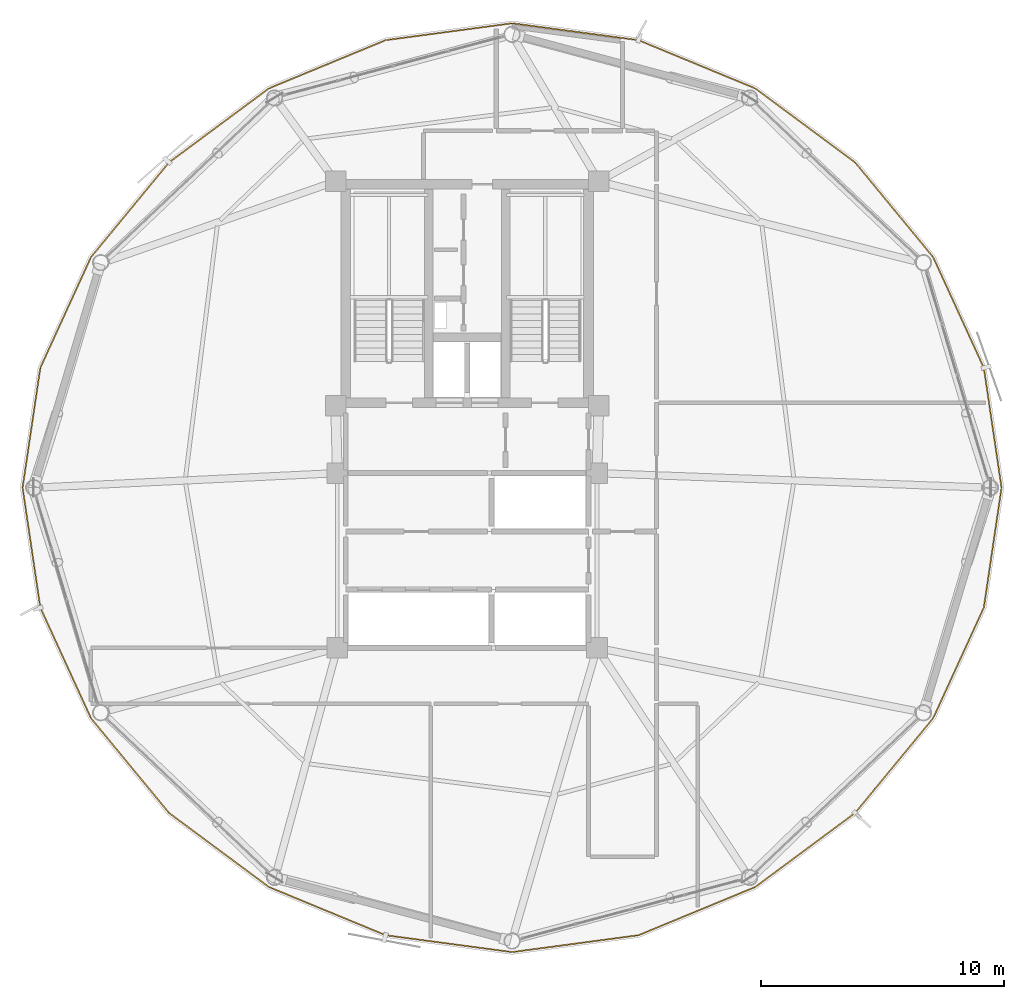
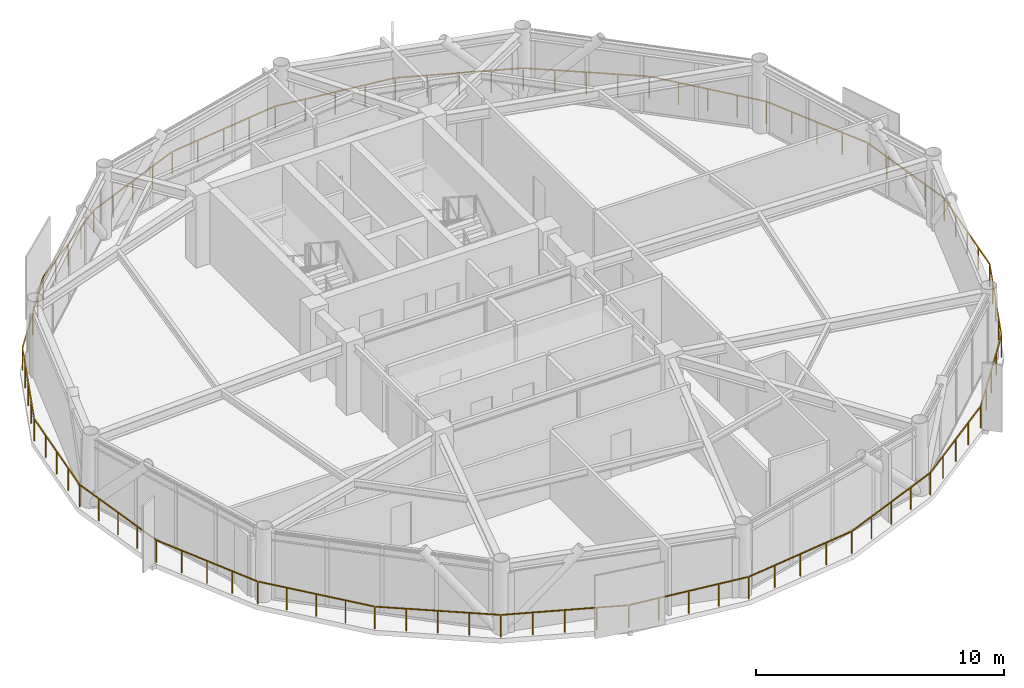
# One storey, part 27 of 29: 1 railing.
"""IFC4 building model written with IfcOpenShell, lengths in metres."""

from ifc_helpers import new_model, si_unit, direction, frame, origin, origin_2d, place, context, subcontext, project, spatial, rectangle, extrude, material, type_object, element, save


model = new_model("IFC4")

# Units and contexts
model_context = context("Model", 3, precision=1e-05, world=origin(), true_north=direction((0.0, 1.0)))
body_context = subcontext(model_context, "Body", "Model", "MODEL_VIEW")
ifc_project = project(units=[si_unit("LENGTHUNIT", "METRE"), si_unit("AREAUNIT", "SQUARE_METRE"), si_unit("VOLUMEUNIT", "CUBIC_METRE"), si_unit("PLANEANGLEUNIT", "RADIAN"), si_unit("MASSUNIT", "GRAM", prefix="KILO")], contexts=[model_context])

# Site, building, storey
site_placement = place(None, origin())
site = spatial("IfcSite", under=ifc_project, at=site_placement, CompositionType="ELEMENT")
building_placement = place(site_placement, origin())
building = spatial("IfcBuilding", under=site, at=building_placement, Name="Varnakorn Sky Granary", CompositionType="ELEMENT")
storey_placement = place(building_placement, frame((0.0, 0.0, 182.39990234375)))
storey = spatial("IfcBuildingStorey", under=building, at=storey_placement, Name="L45", CompositionType="ELEMENT", Elevation=182.39990234375)

# Railing
ifc_material = material(Name="Anodised Bronze Aluminium Alloy 6063-T6", Category="aluminium")
railing_type = type_object("IfcRailingType", Name="RL-BAL-1120", PredefinedType="BALUSTRADE", material=ifc_material)
railing_placement = place(storey_placement, frame((25.013916015625, 0.0, 0.0)))
element("IfcRailing", 1, at=railing_placement, inside=storey, type_object=railing_type, Name="Perimeter Slab-Edge Safety Guard L45", PredefinedType="BALUSTRADE", context=body_context, shape_type="SweptSolid", body=[
    extrude(rectangle(XDim=0.048095703125, YDim=0.048095703125, at=origin_2d()), frame((-0.004150390625, -0.027587890625, 1.09619140625), z_axis=(-0.146213586105, -0.989253045099, 0.0), x_axis=(0.989253045099, -0.146213586105, 0.0)), (0.0, 0.0, 1.0), 4.934814453125),
    extrude(rectangle(XDim=0.048095703125, YDim=0.048095703125, at=origin_2d()), frame((-0.741455078125, -4.962646484375, 1.09619140625), z_axis=(-0.416267282116, -0.909242294353, 0.0), x_axis=(0.909242294353, -0.416267282116, 0.0)), (0.0, 0.0, 1.0), 4.956787109375),
    extrude(rectangle(XDim=0.048095703125, YDim=0.048095703125, at=origin_2d()), frame((-2.834228515625, -9.516845703125, 1.09619140625), z_axis=(-0.635695406903, -0.77193999096, 0.0), x_axis=(0.77193999096, -0.635695406903, 0.0)), (0.0, 0.0, 1.0), 5.000732421875),
    extrude(rectangle(XDim=0.048095703125, YDim=0.048095703125, at=origin_2d()), frame((-6.053466796875, -13.415283203125, 1.09619140625), z_axis=(-0.803365598806, -0.595486116257, 0.0), x_axis=(0.595486116257, -0.803365598806, 0.0)), (0.0, 0.0, 1.0), 5.0693359375),
    extrude(rectangle(XDim=0.048095703125, YDim=0.048095703125, at=origin_2d()), frame((-10.17431640625, -16.46142578125, 1.09619140625), z_axis=(-0.924325852464, -0.38160413843, 0.0), x_axis=(0.38160413843, -0.924325852464, 0.0)), (0.0, 0.0, 1.0), 5.14599609375),
    extrude(rectangle(XDim=0.048095703125, YDim=0.048095703125, at=origin_2d()), frame((-14.984619140625, -18.439453125, 1.09619140625), z_axis=(-0.991201904686, -0.132358543912, 0.0), x_axis=(0.132358543912, -0.991201904686, 0.0)), (0.0, 0.0, 1.0), 5.197265625),
    extrude(rectangle(XDim=0.048095703125, YDim=0.048095703125, at=origin_2d()), frame((-20.191650390625, -19.12744140625, 1.09619140625), z_axis=(-0.991202718802, 0.132352447051, 0.0), x_axis=(-0.132352447051, -0.991202718802, 0.0)), (0.0, 0.0, 1.0), 5.197509765625),
    extrude(rectangle(XDim=0.048095703125, YDim=0.048095703125, at=origin_2d()), frame((-25.39697265625, -18.425048828125, 1.09619140625), z_axis=(-0.9243190177, 0.381620693253, 0.0), x_axis=(-0.381620693253, -0.9243190177, 0.0)), (0.0, 0.0, 1.0), 5.145751953125),
    extrude(rectangle(XDim=0.048095703125, YDim=0.048095703125, at=origin_2d()), frame((-30.20166015625, -16.43408203125, 1.09619140625), z_axis=(-0.803365598806, 0.595486116257, 0.0), x_axis=(-0.595486116257, -0.803365598806, 0.0)), (0.0, 0.0, 1.0), 5.0693359375),
    extrude(rectangle(XDim=0.048095703125, YDim=0.048095703125, at=origin_2d()), frame((-34.314453125, -13.376953125, 1.09619140625), z_axis=(-0.63572417488, 0.771916299526, 0.0), x_axis=(-0.771916299526, -0.63572417488, 0.0)), (0.0, 0.0, 1.0), 5.0009765625),
    extrude(rectangle(XDim=0.048095703125, YDim=0.048095703125, at=origin_2d()), frame((-37.523193359375, -9.4697265625, 1.09619140625), z_axis=(-0.416267282116, 0.909242294353, 0.0), x_axis=(-0.909242294353, -0.416267282116, 0.0)), (0.0, 0.0, 1.0), 4.956787109375),
    extrude(rectangle(XDim=0.048095703125, YDim=0.048095703125, at=origin_2d()), frame((-39.602294921875, -4.90966796875, 1.09619140625), z_axis=(-0.146213586105, 0.989253045099, 0.0), x_axis=(-0.989253045099, -0.146213586105, 0.0)), (0.0, 0.0, 1.0), 4.934814453125),
    extrude(rectangle(XDim=0.048095703125, YDim=0.048095703125, at=origin_2d()), frame((-40.32373046875, 0.027587890625, 1.09619140625), z_axis=(0.146213586105, 0.989253045099, 0.0), x_axis=(-0.989253045099, 0.146213586105, 0.0)), (0.0, 0.0, 1.0), 4.934814453125),
    extrude(rectangle(XDim=0.048095703125, YDim=0.048095703125, at=origin_2d()), frame((-39.58642578125, 4.962646484375, 1.09619140625), z_axis=(0.416267282116, 0.909242294353, 0.0), x_axis=(-0.909242294353, 0.416267282116, 0.0)), (0.0, 0.0, 1.0), 4.956787109375),
    extrude(rectangle(XDim=0.048095703125, YDim=0.048095703125, at=origin_2d()), frame((-37.49365234375, 9.516845703125, 1.09619140625), z_axis=(0.63572417488, 0.771916299526, 0.0), x_axis=(-0.771916299526, 0.63572417488, 0.0)), (0.0, 0.0, 1.0), 5.0009765625),
    extrude(rectangle(XDim=0.048095703125, YDim=0.048095703125, at=origin_2d()), frame((-34.274169921875, 13.415283203125, 1.09619140625), z_axis=(0.803365598806, 0.595486116257, 0.0), x_axis=(-0.595486116257, 0.803365598806, 0.0)), (0.0, 0.0, 1.0), 5.0693359375),
    extrude(rectangle(XDim=0.048095703125, YDim=0.048095703125, at=origin_2d()), frame((-30.1533203125, 16.46142578125, 1.09619140625), z_axis=(0.9243190177, 0.381620693253, 0.0), x_axis=(-0.381620693253, 0.9243190177, 0.0)), (0.0, 0.0, 1.0), 5.145751953125),
    extrude(rectangle(XDim=0.048095703125, YDim=0.048095703125, at=origin_2d()), frame((-25.34326171875, 18.439453125, 1.09619140625), z_axis=(0.991202718802, 0.132352447051, 0.0), x_axis=(-0.132352447051, 0.991202718802, 0.0)), (0.0, 0.0, 1.0), 5.197509765625),
    extrude(rectangle(XDim=0.048095703125, YDim=0.048095703125, at=origin_2d()), frame((-20.135986328125, 19.12744140625, 1.09619140625), z_axis=(0.991201904686, -0.132358543912, 0.0), x_axis=(0.132358543912, 0.991201904686, 0.0)), (0.0, 0.0, 1.0), 5.197265625),
    extrude(rectangle(XDim=0.048095703125, YDim=0.048095703125, at=origin_2d()), frame((-14.930908203125, 18.425048828125, 1.09619140625), z_axis=(0.924325852464, -0.38160413843, 0.0), x_axis=(0.38160413843, 0.924325852464, 0.0)), (0.0, 0.0, 1.0), 5.14599609375),
    extrude(rectangle(XDim=0.048095703125, YDim=0.048095703125, at=origin_2d()), frame((-10.1259765625, 16.43408203125, 1.09619140625), z_axis=(0.803365598806, -0.595486116257, 0.0), x_axis=(0.595486116257, 0.803365598806, 0.0)), (0.0, 0.0, 1.0), 5.0693359375),
    extrude(rectangle(XDim=0.048095703125, YDim=0.048095703125, at=origin_2d()), frame((-6.01318359375, 13.376953125, 1.09619140625), z_axis=(0.635695406903, -0.77193999096, 0.0), x_axis=(0.77193999096, 0.635695406903, 0.0)), (0.0, 0.0, 1.0), 5.000732421875),
    extrude(rectangle(XDim=0.048095703125, YDim=0.048095703125, at=origin_2d()), frame((-2.8046875, 9.4697265625, 1.09619140625), z_axis=(0.416267282116, -0.909242294353, 0.0), x_axis=(0.909242294353, 0.416267282116, 0.0)), (0.0, 0.0, 1.0), 4.956787109375),
    extrude(rectangle(XDim=0.048095703125, YDim=0.048095703125, at=origin_2d()), frame((-0.7255859375, 4.90966796875, 1.09619140625), z_axis=(0.146213586105, -0.989253045099, 0.0), x_axis=(0.989253045099, 0.146213586105, 0.0)), (0.0, 0.0, 1.0), 4.934814453125),
    extrude(rectangle(XDim=0.0419921875, YDim=0.0419921875, at=origin_2d()), origin(), (0.0, 0.0, 1.0), 1.068115234375),
    extrude(rectangle(XDim=0.0419921875, YDim=0.0419921875, at=origin_2d()), frame((-0.182373046875, -1.234375, 0.0)), (0.0, 0.0, 1.0), 1.068115234375),
    extrude(rectangle(XDim=0.0419921875, YDim=0.0419921875, at=origin_2d()), frame((-0.36474609375, -2.46875, 0.0)), (0.0, 0.0, 1.0), 1.068115234375),
    extrude(rectangle(XDim=0.0419921875, YDim=0.0419921875, at=origin_2d()), frame((-0.54736328125, -3.702880859375, 0.0)), (0.0, 0.0, 1.0), 1.068115234375),
    extrude(rectangle(XDim=0.0419921875, YDim=0.0419921875, at=origin_2d()), frame((-0.729736328125, -4.937255859375, 0.0)), (0.0, 0.0, 1.0), 1.068115234375),
    extrude(rectangle(XDim=0.0419921875, YDim=0.0419921875, at=origin_2d()), frame((-1.25146484375, -6.07666015625, 0.0)), (0.0, 0.0, 1.0), 1.068115234375),
    extrude(rectangle(XDim=0.0419921875, YDim=0.0419921875, at=origin_2d()), frame((-1.77294921875, -7.21630859375, 0.0)), (0.0, 0.0, 1.0), 1.068115234375),
    extrude(rectangle(XDim=0.0419921875, YDim=0.0419921875, at=origin_2d()), frame((-2.294677734375, -8.355712890625, 0.0)), (0.0, 0.0, 1.0), 1.068115234375),
    extrude(rectangle(XDim=0.0419921875, YDim=0.0419921875, at=origin_2d()), frame((-2.81640625, -9.4951171875, 0.0)), (0.0, 0.0, 1.0), 1.068115234375),
    extrude(rectangle(XDim=0.0419921875, YDim=0.0419921875, at=origin_2d()), frame((-3.6201171875, -10.470947265625, 0.0)), (0.0, 0.0, 1.0), 1.068115234375),
    extrude(rectangle(XDim=0.0419921875, YDim=0.0419921875, at=origin_2d()), frame((-4.423828125, -11.44677734375, 0.0)), (0.0, 0.0, 1.0), 1.068115234375),
    extrude(rectangle(XDim=0.0419921875, YDim=0.0419921875, at=origin_2d()), frame((-5.227294921875, -12.4228515625, 0.0)), (0.0, 0.0, 1.0), 1.068115234375),
    extrude(rectangle(XDim=0.0419921875, YDim=0.0419921875, at=origin_2d()), frame((-6.031005859375, -13.398681640625, 0.0)), (0.0, 0.0, 1.0), 1.068115234375),
    extrude(rectangle(XDim=0.0419921875, YDim=0.0419921875, at=origin_2d()), frame((-7.060302734375, -14.16162109375, 0.0)), (0.0, 0.0, 1.0), 1.068115234375),
    extrude(rectangle(XDim=0.0419921875, YDim=0.0419921875, at=origin_2d()), frame((-8.08984375, -14.9248046875, 0.0)), (0.0, 0.0, 1.0), 1.068115234375),
    extrude(rectangle(XDim=0.0419921875, YDim=0.0419921875, at=origin_2d()), frame((-9.119140625, -15.687744140625, 0.0)), (0.0, 0.0, 1.0), 1.068115234375),
    extrude(rectangle(XDim=0.0419921875, YDim=0.0419921875, at=origin_2d()), frame((-10.1484375, -16.45068359375, 0.0)), (0.0, 0.0, 1.0), 1.068115234375),
    extrude(rectangle(XDim=0.0419921875, YDim=0.0419921875, at=origin_2d()), frame((-11.3505859375, -16.947021484375, 0.0)), (0.0, 0.0, 1.0), 1.068115234375),
    extrude(rectangle(XDim=0.0419921875, YDim=0.0419921875, at=origin_2d()), frame((-12.552734375, -17.443359375, 0.0)), (0.0, 0.0, 1.0), 1.068115234375),
    extrude(rectangle(XDim=0.0419921875, YDim=0.0419921875, at=origin_2d()), frame((-13.754638671875, -17.939453125, 0.0)), (0.0, 0.0, 1.0), 1.068115234375),
    extrude(rectangle(XDim=0.0419921875, YDim=0.0419921875, at=origin_2d()), frame((-14.956787109375, -18.435791015625, 0.0)), (0.0, 0.0, 1.0), 1.068115234375),
    extrude(rectangle(XDim=0.0419921875, YDim=0.0419921875, at=origin_2d()), frame((-16.258544921875, -18.609619140625, 0.0)), (0.0, 0.0, 1.0), 1.068115234375),
    extrude(rectangle(XDim=0.0419921875, YDim=0.0419921875, at=origin_2d()), frame((-17.560302734375, -18.783447265625, 0.0)), (0.0, 0.0, 1.0), 1.068115234375),
    extrude(rectangle(XDim=0.0419921875, YDim=0.0419921875, at=origin_2d()), frame((-18.862060546875, -18.957275390625, 0.0)), (0.0, 0.0, 1.0), 1.068115234375),
    extrude(rectangle(XDim=0.0419921875, YDim=0.0419921875, at=origin_2d()), frame((-20.163818359375, -19.131103515625, 0.0)), (0.0, 0.0, 1.0), 1.068115234375),
    extrude(rectangle(XDim=0.0419921875, YDim=0.0419921875, at=origin_2d()), frame((-21.465576171875, -18.957275390625, 0.0)), (0.0, 0.0, 1.0), 1.068115234375),
    extrude(rectangle(XDim=0.0419921875, YDim=0.0419921875, at=origin_2d()), frame((-22.767578125, -18.783447265625, 0.0)), (0.0, 0.0, 1.0), 1.068115234375),
    extrude(rectangle(XDim=0.0419921875, YDim=0.0419921875, at=origin_2d()), frame((-24.0693359375, -18.609619140625, 0.0)), (0.0, 0.0, 1.0), 1.068115234375),
    extrude(rectangle(XDim=0.0419921875, YDim=0.0419921875, at=origin_2d()), frame((-25.37109375, -18.435791015625, 0.0)), (0.0, 0.0, 1.0), 1.068115234375),
    extrude(rectangle(XDim=0.0419921875, YDim=0.0419921875, at=origin_2d()), frame((-26.5732421875, -17.939453125, 0.0)), (0.0, 0.0, 1.0), 1.068115234375),
    extrude(rectangle(XDim=0.0419921875, YDim=0.0419921875, at=origin_2d()), frame((-27.775146484375, -17.443359375, 0.0)), (0.0, 0.0, 1.0), 1.068115234375),
    extrude(rectangle(XDim=0.0419921875, YDim=0.0419921875, at=origin_2d()), frame((-28.97705078125, -16.947021484375, 0.0)), (0.0, 0.0, 1.0), 1.068115234375),
    extrude(rectangle(XDim=0.0419921875, YDim=0.0419921875, at=origin_2d()), frame((-30.17919921875, -16.45068359375, 0.0)), (0.0, 0.0, 1.0), 1.068115234375),
    extrude(rectangle(XDim=0.0419921875, YDim=0.0419921875, at=origin_2d()), frame((-31.20849609375, -15.687744140625, 0.0)), (0.0, 0.0, 1.0), 1.068115234375),
    extrude(rectangle(XDim=0.0419921875, YDim=0.0419921875, at=origin_2d()), frame((-32.23779296875, -14.9248046875, 0.0)), (0.0, 0.0, 1.0), 1.068115234375),
    extrude(rectangle(XDim=0.0419921875, YDim=0.0419921875, at=origin_2d()), frame((-33.267333984375, -14.16162109375, 0.0)), (0.0, 0.0, 1.0), 1.068115234375),
    extrude(rectangle(XDim=0.0419921875, YDim=0.0419921875, at=origin_2d()), frame((-34.296630859375, -13.398681640625, 0.0)), (0.0, 0.0, 1.0), 1.068115234375),
    extrude(rectangle(XDim=0.0419921875, YDim=0.0419921875, at=origin_2d()), frame((-35.100341796875, -12.4228515625, 0.0)), (0.0, 0.0, 1.0), 1.068115234375),
    extrude(rectangle(XDim=0.0419921875, YDim=0.0419921875, at=origin_2d()), frame((-35.904052734375, -11.44677734375, 0.0)), (0.0, 0.0, 1.0), 1.068115234375),
    extrude(rectangle(XDim=0.0419921875, YDim=0.0419921875, at=origin_2d()), frame((-36.707763671875, -10.470947265625, 0.0)), (0.0, 0.0, 1.0), 1.068115234375),
    extrude(rectangle(XDim=0.0419921875, YDim=0.0419921875, at=origin_2d()), frame((-37.511474609375, -9.4951171875, 0.0)), (0.0, 0.0, 1.0), 1.068115234375),
    extrude(rectangle(XDim=0.0419921875, YDim=0.0419921875, at=origin_2d()), frame((-38.033203125, -8.355712890625, 0.0)), (0.0, 0.0, 1.0), 1.068115234375),
    extrude(rectangle(XDim=0.0419921875, YDim=0.0419921875, at=origin_2d()), frame((-38.5546875, -7.21630859375, 0.0)), (0.0, 0.0, 1.0), 1.068115234375),
    extrude(rectangle(XDim=0.0419921875, YDim=0.0419921875, at=origin_2d()), frame((-39.076416015625, -6.07666015625, 0.0)), (0.0, 0.0, 1.0), 1.068115234375),
    extrude(rectangle(XDim=0.0419921875, YDim=0.0419921875, at=origin_2d()), frame((-39.59814453125, -4.937255859375, 0.0)), (0.0, 0.0, 1.0), 1.068115234375),
    extrude(rectangle(XDim=0.0419921875, YDim=0.0419921875, at=origin_2d()), frame((-39.780517578125, -3.702880859375, 0.0)), (0.0, 0.0, 1.0), 1.068115234375),
    extrude(rectangle(XDim=0.0419921875, YDim=0.0419921875, at=origin_2d()), frame((-39.962890625, -2.46875, 0.0)), (0.0, 0.0, 1.0), 1.068115234375),
    extrude(rectangle(XDim=0.0419921875, YDim=0.0419921875, at=origin_2d()), frame((-40.1455078125, -1.234375, 0.0)), (0.0, 0.0, 1.0), 1.068115234375),
    extrude(rectangle(XDim=0.0419921875, YDim=0.0419921875, at=origin_2d()), frame((-40.327880859375, 0.0, 0.0)), (0.0, 0.0, 1.0), 1.068115234375),
    extrude(rectangle(XDim=0.0419921875, YDim=0.0419921875, at=origin_2d()), frame((-40.1455078125, 1.234375, 0.0)), (0.0, 0.0, 1.0), 1.068115234375),
    extrude(rectangle(XDim=0.0419921875, YDim=0.0419921875, at=origin_2d()), frame((-39.962890625, 2.46875, 0.0)), (0.0, 0.0, 1.0), 1.068115234375),
    extrude(rectangle(XDim=0.0419921875, YDim=0.0419921875, at=origin_2d()), frame((-39.780517578125, 3.702880859375, 0.0)), (0.0, 0.0, 1.0), 1.068115234375),
    extrude(rectangle(XDim=0.0419921875, YDim=0.0419921875, at=origin_2d()), frame((-39.59814453125, 4.937255859375, 0.0)), (0.0, 0.0, 1.0), 1.068115234375),
    extrude(rectangle(XDim=0.0419921875, YDim=0.0419921875, at=origin_2d()), frame((-39.076416015625, 6.07666015625, 0.0)), (0.0, 0.0, 1.0), 1.068115234375),
    extrude(rectangle(XDim=0.0419921875, YDim=0.0419921875, at=origin_2d()), frame((-38.5546875, 7.21630859375, 0.0)), (0.0, 0.0, 1.0), 1.068115234375),
    extrude(rectangle(XDim=0.0419921875, YDim=0.0419921875, at=origin_2d()), frame((-38.033203125, 8.355712890625, 0.0)), (0.0, 0.0, 1.0), 1.068115234375),
    extrude(rectangle(XDim=0.0419921875, YDim=0.0419921875, at=origin_2d()), frame((-37.511474609375, 9.4951171875, 0.0)), (0.0, 0.0, 1.0), 1.068115234375),
    extrude(rectangle(XDim=0.0419921875, YDim=0.0419921875, at=origin_2d()), frame((-36.707763671875, 10.470947265625, 0.0)), (0.0, 0.0, 1.0), 1.068115234375),
    extrude(rectangle(XDim=0.0419921875, YDim=0.0419921875, at=origin_2d()), frame((-35.904052734375, 11.44677734375, 0.0)), (0.0, 0.0, 1.0), 1.068115234375),
    extrude(rectangle(XDim=0.0419921875, YDim=0.0419921875, at=origin_2d()), frame((-35.100341796875, 12.4228515625, 0.0)), (0.0, 0.0, 1.0), 1.068115234375),
    extrude(rectangle(XDim=0.0419921875, YDim=0.0419921875, at=origin_2d()), frame((-34.296630859375, 13.398681640625, 0.0)), (0.0, 0.0, 1.0), 1.068115234375),
    extrude(rectangle(XDim=0.0419921875, YDim=0.0419921875, at=origin_2d()), frame((-33.267333984375, 14.16162109375, 0.0)), (0.0, 0.0, 1.0), 1.068115234375),
    extrude(rectangle(XDim=0.0419921875, YDim=0.0419921875, at=origin_2d()), frame((-32.23779296875, 14.9248046875, 0.0)), (0.0, 0.0, 1.0), 1.068115234375),
    extrude(rectangle(XDim=0.0419921875, YDim=0.0419921875, at=origin_2d()), frame((-31.20849609375, 15.687744140625, 0.0)), (0.0, 0.0, 1.0), 1.068115234375),
    extrude(rectangle(XDim=0.0419921875, YDim=0.0419921875, at=origin_2d()), frame((-30.17919921875, 16.45068359375, 0.0)), (0.0, 0.0, 1.0), 1.068115234375),
    extrude(rectangle(XDim=0.0419921875, YDim=0.0419921875, at=origin_2d()), frame((-28.97705078125, 16.947021484375, 0.0)), (0.0, 0.0, 1.0), 1.068115234375),
    extrude(rectangle(XDim=0.0419921875, YDim=0.0419921875, at=origin_2d()), frame((-27.775146484375, 17.443359375, 0.0)), (0.0, 0.0, 1.0), 1.068115234375),
    extrude(rectangle(XDim=0.0419921875, YDim=0.0419921875, at=origin_2d()), frame((-26.5732421875, 17.939453125, 0.0)), (0.0, 0.0, 1.0), 1.068115234375),
    extrude(rectangle(XDim=0.0419921875, YDim=0.0419921875, at=origin_2d()), frame((-25.37109375, 18.435791015625, 0.0)), (0.0, 0.0, 1.0), 1.068115234375),
    extrude(rectangle(XDim=0.0419921875, YDim=0.0419921875, at=origin_2d()), frame((-24.0693359375, 18.609619140625, 0.0)), (0.0, 0.0, 1.0), 1.068115234375),
    extrude(rectangle(XDim=0.0419921875, YDim=0.0419921875, at=origin_2d()), frame((-22.767578125, 18.783447265625, 0.0)), (0.0, 0.0, 1.0), 1.068115234375),
    extrude(rectangle(XDim=0.0419921875, YDim=0.0419921875, at=origin_2d()), frame((-21.465576171875, 18.957275390625, 0.0)), (0.0, 0.0, 1.0), 1.068115234375),
    extrude(rectangle(XDim=0.0419921875, YDim=0.0419921875, at=origin_2d()), frame((-20.163818359375, 19.131103515625, 0.0)), (0.0, 0.0, 1.0), 1.068115234375),
    extrude(rectangle(XDim=0.0419921875, YDim=0.0419921875, at=origin_2d()), frame((-18.862060546875, 18.957275390625, 0.0)), (0.0, 0.0, 1.0), 1.068115234375),
    extrude(rectangle(XDim=0.0419921875, YDim=0.0419921875, at=origin_2d()), frame((-17.560302734375, 18.783447265625, 0.0)), (0.0, 0.0, 1.0), 1.068115234375),
    extrude(rectangle(XDim=0.0419921875, YDim=0.0419921875, at=origin_2d()), frame((-16.258544921875, 18.609619140625, 0.0)), (0.0, 0.0, 1.0), 1.068115234375),
    extrude(rectangle(XDim=0.0419921875, YDim=0.0419921875, at=origin_2d()), frame((-14.956787109375, 18.435791015625, 0.0)), (0.0, 0.0, 1.0), 1.068115234375),
    extrude(rectangle(XDim=0.0419921875, YDim=0.0419921875, at=origin_2d()), frame((-13.754638671875, 17.939453125, 0.0)), (0.0, 0.0, 1.0), 1.068115234375),
    extrude(rectangle(XDim=0.0419921875, YDim=0.0419921875, at=origin_2d()), frame((-12.552734375, 17.443359375, 0.0)), (0.0, 0.0, 1.0), 1.068115234375),
    extrude(rectangle(XDim=0.0419921875, YDim=0.0419921875, at=origin_2d()), frame((-11.3505859375, 16.947021484375, 0.0)), (0.0, 0.0, 1.0), 1.068115234375),
    extrude(rectangle(XDim=0.0419921875, YDim=0.0419921875, at=origin_2d()), frame((-10.1484375, 16.45068359375, 0.0)), (0.0, 0.0, 1.0), 1.068115234375),
    extrude(rectangle(XDim=0.0419921875, YDim=0.0419921875, at=origin_2d()), frame((-9.119140625, 15.687744140625, 0.0)), (0.0, 0.0, 1.0), 1.068115234375),
    extrude(rectangle(XDim=0.0419921875, YDim=0.0419921875, at=origin_2d()), frame((-8.08984375, 14.9248046875, 0.0)), (0.0, 0.0, 1.0), 1.068115234375),
    extrude(rectangle(XDim=0.0419921875, YDim=0.0419921875, at=origin_2d()), frame((-7.060302734375, 14.16162109375, 0.0)), (0.0, 0.0, 1.0), 1.068115234375),
    extrude(rectangle(XDim=0.0419921875, YDim=0.0419921875, at=origin_2d()), frame((-6.031005859375, 13.398681640625, 0.0)), (0.0, 0.0, 1.0), 1.068115234375),
    extrude(rectangle(XDim=0.0419921875, YDim=0.0419921875, at=origin_2d()), frame((-5.227294921875, 12.4228515625, 0.0)), (0.0, 0.0, 1.0), 1.068115234375),
    extrude(rectangle(XDim=0.0419921875, YDim=0.0419921875, at=origin_2d()), frame((-4.423828125, 11.44677734375, 0.0)), (0.0, 0.0, 1.0), 1.068115234375),
    extrude(rectangle(XDim=0.0419921875, YDim=0.0419921875, at=origin_2d()), frame((-3.6201171875, 10.470947265625, 0.0)), (0.0, 0.0, 1.0), 1.068115234375),
    extrude(rectangle(XDim=0.0419921875, YDim=0.0419921875, at=origin_2d()), frame((-2.81640625, 9.4951171875, 0.0)), (0.0, 0.0, 1.0), 1.068115234375),
    extrude(rectangle(XDim=0.0419921875, YDim=0.0419921875, at=origin_2d()), frame((-2.294677734375, 8.355712890625, 0.0)), (0.0, 0.0, 1.0), 1.068115234375),
    extrude(rectangle(XDim=0.0419921875, YDim=0.0419921875, at=origin_2d()), frame((-1.77294921875, 7.21630859375, 0.0)), (0.0, 0.0, 1.0), 1.068115234375),
    extrude(rectangle(XDim=0.0419921875, YDim=0.0419921875, at=origin_2d()), frame((-1.25146484375, 6.07666015625, 0.0)), (0.0, 0.0, 1.0), 1.068115234375),
    extrude(rectangle(XDim=0.0419921875, YDim=0.0419921875, at=origin_2d()), frame((-0.729736328125, 4.937255859375, 0.0)), (0.0, 0.0, 1.0), 1.068115234375),
    extrude(rectangle(XDim=0.0419921875, YDim=0.0419921875, at=origin_2d()), frame((-0.54736328125, 3.702880859375, 0.0)), (0.0, 0.0, 1.0), 1.068115234375),
    extrude(rectangle(XDim=0.0419921875, YDim=0.0419921875, at=origin_2d()), frame((-0.36474609375, 2.46875, 0.0)), (0.0, 0.0, 1.0), 1.068115234375),
    extrude(rectangle(XDim=0.0419921875, YDim=0.0419921875, at=origin_2d()), frame((-0.182373046875, 1.234375, 0.0)), (0.0, 0.0, 1.0), 1.068115234375),
])

save(model, "model.ifc")
